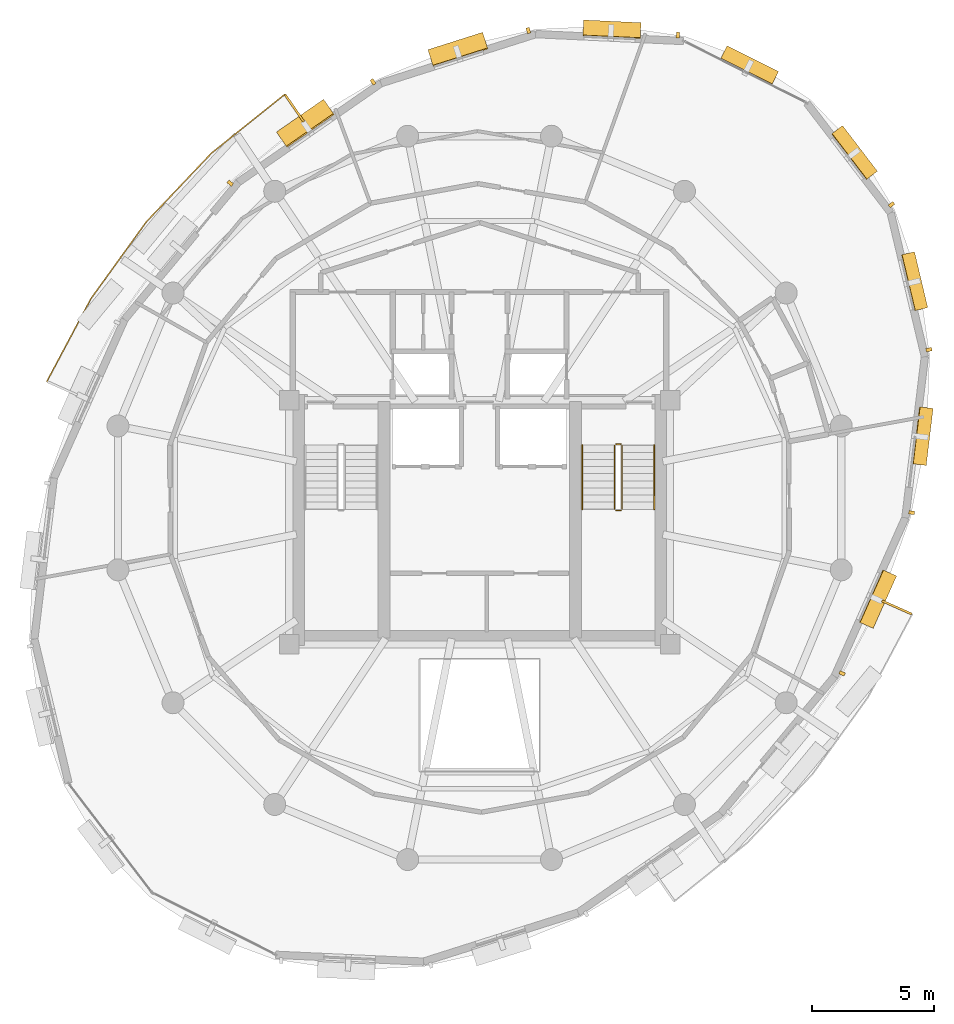
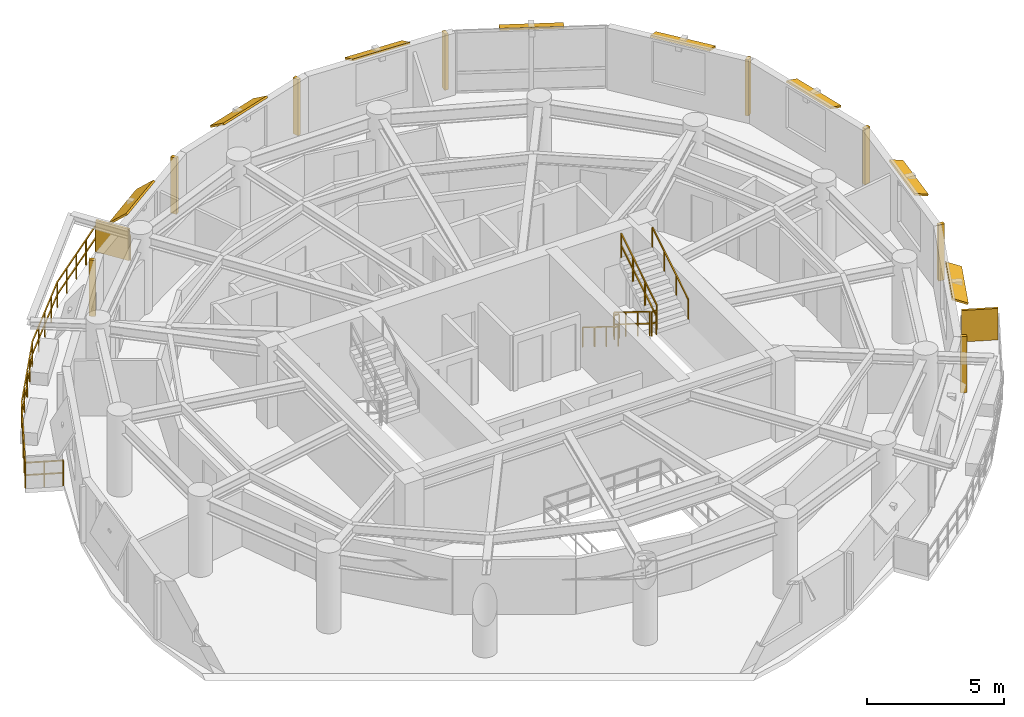
# One storey, part 11 of 11: 18 shading devices, 7 railings.
"""IFC4 building model written with IfcOpenShell, lengths in metres."""

import ifcopenshell
import ifcopenshell.guid

model = None  # the IFC model being written
_history = None  # IfcOwnerHistory: only IFC2X3 demands one
_inside = {}  # id of a spatial element -> (the spatial element, [elements in it])
_under = {}  # id of a project, library or spatial element -> (it, [spatial elements below it])
_declared = {}  # id of a project -> (the project, [libraries it declares])
_typed = {}  # id of a type object -> (the type object, [elements of that type])
_made_of = {}  # id of a material, layer set ... -> (it, [elements and type objects made of it])


def new_model(schema):
    """Start an empty IFC model of exactly this schema.

    Asked for "IFC4X3", IfcOpenShell would pick the latest addendum, in which some entities
    have other attributes; the version numbers below select the first issue.
    IFC2X3 requires an IfcOwnerHistory on every rooted entity: one is made here for all.
    """
    global model, _history
    if schema == "IFC4X3":
        model = ifcopenshell.file(schema_version=(4, 3, 0, 0))
    else:
        model = ifcopenshell.file(schema=schema)
    _inside.clear()
    _under.clear()
    _declared.clear()
    _typed.clear()
    _made_of.clear()
    _history = None
    if model.schema == "IFC2X3":
        org = make("IfcOrganization", Name="unknown")
        user = make(
            "IfcPersonAndOrganization",
            ThePerson=make("IfcPerson", FamilyName="unknown"),
            TheOrganization=org,
        )
        app = make(
            "IfcApplication",
            ApplicationDeveloper=org,
            Version="unknown",
            ApplicationFullName="unknown",
            ApplicationIdentifier="unknown",
        )
        _history = make(
            "IfcOwnerHistory",
            OwningUser=user,
            OwningApplication=app,
            ChangeAction="ADDED",
            CreationDate=0,
        )
    return model


def make(cls, **values):
    """One entity of the class cls with the attributes given. An attribute that is None is left unset."""
    return model.create_entity(
        cls, **{name: value for name, value in values.items() if value is not None}
    )


def rooted(cls, **values):
    """An entity with a GlobalId (a new one), such as an element, a storey or a relation."""
    return make(cls, GlobalId=ifcopenshell.guid.new(), OwnerHistory=_history, **values)


def si_unit(unit_type, name, prefix=None):
    """IfcSIUnit, for example si_unit("LENGTHUNIT", "METRE", prefix="MILLI")."""
    return make("IfcSIUnit", UnitType=unit_type, Prefix=prefix, Name=name)


def assignment(units):
    """IfcUnitAssignment: the units of a project."""
    return None if units is None else make("IfcUnitAssignment", Units=units)


def point(xyz):
    """IfcCartesianPoint."""
    return None if xyz is None else make("IfcCartesianPoint", Coordinates=xyz)


def direction(xyz):
    """IfcDirection."""
    return None if xyz is None else make("IfcDirection", DirectionRatios=xyz)


def frame(location, z_axis=None, x_axis=None):
    """IfcAxis2Placement3D, a coordinate frame: its origin and axes. An axis left out is left unset."""
    return make(
        "IfcAxis2Placement3D",
        Location=point(location),
        Axis=direction(z_axis),
        RefDirection=direction(x_axis),
    )


def frame_2d(location, x_axis=None):
    """IfcAxis2Placement2D, a coordinate frame in the plane: its origin and x axis."""
    return make(
        "IfcAxis2Placement2D", Location=point(location), RefDirection=direction(x_axis)
    )


def origin():
    """The frame at (0, 0, 0) with its axes left unset."""
    return frame((0.0, 0.0, 0.0))


def origin_2d():
    """The frame at (0, 0) in the plane with its x axis left unset."""
    return frame_2d((0.0, 0.0))


def place(relative_to, where):
    """IfcLocalPlacement: puts the frame where relative to a parent placement (None: the world)."""
    return make(
        "IfcLocalPlacement", PlacementRelTo=relative_to, RelativePlacement=where
    )


def context(
    kind, dimensions, precision=None, world=None, true_north=None, identifier=None
):
    """IfcGeometricRepresentationContext, for example the 3D "Model" context."""
    return make(
        "IfcGeometricRepresentationContext",
        ContextIdentifier=identifier,
        ContextType=kind,
        CoordinateSpaceDimension=dimensions,
        Precision=precision,
        WorldCoordinateSystem=world,
        TrueNorth=true_north,
    )


def subcontext(parent, identifier, kind, view, scale=None):
    """IfcGeometricRepresentationSubContext, for example "Body" below "Model"."""
    return make(
        "IfcGeometricRepresentationSubContext",
        ContextIdentifier=identifier,
        ContextType=kind,
        ParentContext=parent,
        TargetScale=scale,
        TargetView=view,
    )


def project(units=None, contexts=None):
    """IfcProject with its units and contexts."""
    return rooted(
        "IfcProject",
        Name="project",
        RepresentationContexts=contexts,
        UnitsInContext=assignment(units),
    )


def spatial(cls, under=None, at=None, **own):
    """A site, building, storey or space (cls), placed at a placement, below another one or the project."""
    s = rooted(cls, ObjectPlacement=at, **own)
    if under is not None:
        _under.setdefault(under.id(), (under, []))[1].append(s)
    return s


def profile(cls, at=None, kind="AREA", **sizes):
    """A parametric profile (cls). Its sizes go by their IFC names, for example OverallWidth=200.0."""
    return make(cls, ProfileType=kind, Position=at, **sizes)


def rectangle(**sizes):
    """IfcRectangleProfileDef."""
    return profile("IfcRectangleProfileDef", **sizes)


def extrude(swept, where, along, depth):
    """IfcExtrudedAreaSolid: the profile swept, set in the frame where, extruded along a direction by depth."""
    return make(
        "IfcExtrudedAreaSolid",
        SweptArea=swept,
        Position=where,
        ExtrudedDirection=direction(along),
        Depth=depth,
    )


def shape(context_of_items, identifier, shape_type, items):
    """IfcShapeRepresentation: the items that make up one representation, for example the "Body"."""
    return make(
        "IfcShapeRepresentation",
        ContextOfItems=context_of_items,
        RepresentationIdentifier=identifier,
        RepresentationType=shape_type,
        Items=items,
    )


def material(Name=None, Category=None):
    """IfcMaterial."""
    return make("IfcMaterial", Name=Name, Category=Category)


def layer(
    of_material, thickness, ventilated=None, Name=None, Category=None, Priority=None
):
    """IfcMaterialLayer: one layer of a wall or slab, of a material (None: an air gap)."""
    return make(
        "IfcMaterialLayer",
        Material=of_material,
        LayerThickness=thickness,
        IsVentilated=ventilated,
        Name=Name,
        Category=Category,
        Priority=Priority,
    )


def layer_set(layers, Name=None):
    """IfcMaterialLayerSet."""
    return make("IfcMaterialLayerSet", MaterialLayers=layers, LayerSetName=Name)


def made_of(thing, what):
    """Note that an element or type object is made of a material, layer set ...; save() writes the relation."""
    if what is not None:
        _made_of.setdefault(what.id(), (what, []))[1].append(thing)
    return thing


def type_object(cls, material=None, **own):
    """A type object (cls), such as IfcWallType, which elements share."""
    return made_of(rooted(cls, **own), material)


def element(
    cls,
    number,
    at=None,
    inside=None,
    cuts=None,
    type_object=None,
    material=None,
    context=None,
    identifier="Body",
    shape_type=None,
    held_by="IfcProductDefinitionShape",
    body=None,
    shapes=None,
    **own,
):
    """One element of the class cls, such as IfcWall. Its Tag is "e" and its number.

    at: its placement. inside: the storey or other place that contains it. cuts: it is an
    opening in that element (IfcRelVoidsElement). A single representation is given by context,
    identifier, shape_type and body (its items); several are given by shapes. held_by: the class
    of the entity that holds the representations. save() writes the other relations.
    """
    e = rooted(cls, Tag="e%d" % number, ObjectPlacement=at, **own)
    if body is not None:
        shapes = [shape(context, identifier, shape_type, body)]
    if shapes is not None:
        e.Representation = make(held_by, Representations=shapes)
    if inside is not None:
        _inside.setdefault(inside.id(), (inside, []))[1].append(e)
    if cuts is not None:
        rooted(
            "IfcRelVoidsElement", RelatingBuildingElement=cuts, RelatedOpeningElement=e
        )
    if type_object is not None:
        _typed.setdefault(type_object.id(), (type_object, []))[1].append(e)
    return made_of(e, material)


def aggregate(whole, parts):
    """IfcRelAggregates: a whole, such as a stair, and the parts it consists of."""
    return rooted("IfcRelAggregates", RelatingObject=whole, RelatedObjects=parts)


def save(model, path):
    """Write the relations noted so far, then the file.

    IfcRelAggregates (storeys below a building ...), IfcRelContainedInSpatialStructure (elements
    in a storey), IfcRelDefinesByType, IfcRelAssociatesMaterial and IfcRelDeclares: one each for
    every whole, place, type object, material and project.
    """
    for whole, parts in _under.values():
        aggregate(whole, parts)
    for where, things in _inside.values():
        rooted(
            "IfcRelContainedInSpatialStructure",
            RelatedElements=things,
            RelatingStructure=where,
        )
    for kind, things in _typed.values():
        rooted("IfcRelDefinesByType", RelatedObjects=things, RelatingType=kind)
    for what, things in _made_of.values():
        rooted("IfcRelAssociatesMaterial", RelatedObjects=things, RelatingMaterial=what)
    for by, libraries in _declared.values():
        rooted("IfcRelDeclares", RelatingContext=by, RelatedDefinitions=libraries)
    model.write(path)


model = new_model("IFC4")

# Units and contexts
model_context = context("Model", 3, precision=1e-05, world=origin(), true_north=direction((0.0, 1.0)))
body_context = subcontext(model_context, "Body", "Model", "MODEL_VIEW")
ifc_project = project(units=[si_unit("LENGTHUNIT", "METRE"), si_unit("AREAUNIT", "SQUARE_METRE"), si_unit("VOLUMEUNIT", "CUBIC_METRE"), si_unit("PLANEANGLEUNIT", "RADIAN"), si_unit("MASSUNIT", "GRAM", prefix="KILO"), si_unit("THERMODYNAMICTEMPERATUREUNIT", "KELVIN"), si_unit("POWERUNIT", "WATT")], contexts=[model_context])

# Site, building, storey
site_placement = place(None, origin())
site = spatial("IfcSite", under=ifc_project, at=site_placement, CompositionType="ELEMENT")
building_placement = place(site_placement, origin())
building = spatial("IfcBuilding", under=site, at=building_placement, Name="Ocrelia Relay Tower", CompositionType="ELEMENT")
storey_placement = place(building_placement, frame((0.0, 0.0, 241.199951171875)))
storey = spatial("IfcBuildingStorey", under=building, at=storey_placement, Name="L59", CompositionType="ELEMENT", Elevation=241.199951171875)

# Railings
ifc_material_1 = material(Name="Steel S355 balustrade", Category="steel")
railing_type_1 = type_object("IfcRailingType", Name="RL-EXT-GUARD-1150", PredefinedType="GUARDRAIL", material=ifc_material_1)
railing_1_placement = place(storey_placement, frame((17.552490234375, 30.203125, 0.0)))
element("IfcRailing", 1, at=railing_1_placement, inside=storey, type_object=railing_type_1, Name="L59 Loggia Balcony Guard Rail B1", PredefinedType="GUARDRAIL", context=body_context, shape_type="SweptSolid", body=[
    extrude(rectangle(XDim=0.048095703125, YDim=0.048095703125, at=origin_2d()), frame((0.0, 0.0, 1.1259765625), z_axis=(-0.913760972892, 0.406252242357, 0.0), x_axis=(-0.406252242357, -0.913760972892, 0.0)), (0.0, 0.0, 1.0), 1.3935546875),
    extrude(rectangle(XDim=0.048095703125, YDim=0.048095703125, at=origin_2d()), frame((0.0, 0.0, 0.574951171875), z_axis=(-0.913760972892, 0.406252242357, 0.0), x_axis=(-0.406252242357, -0.913760972892, 0.0)), (0.0, 0.0, 1.0), 1.3935546875),
    extrude(rectangle(XDim=0.048095703125, YDim=0.048095703125, at=origin_2d()), frame((-1.2734375, 0.566162109375, 1.1259765625), z_axis=(0.469545514332, 0.882908268152, 0.0), x_axis=(-0.882908268152, 0.469545514332, 0.0)), (0.0, 0.0, 1.0), 1.920654296875),
    extrude(rectangle(XDim=0.048095703125, YDim=0.048095703125, at=origin_2d()), frame((-1.2734375, 0.566162109375, 0.574951171875), z_axis=(0.469545514332, 0.882908268152, 0.0), x_axis=(-0.882908268152, 0.469545514332, 0.0)), (0.0, 0.0, 1.0), 1.920654296875),
    extrude(rectangle(XDim=0.048095703125, YDim=0.048095703125, at=origin_2d()), frame((-0.37158203125, 2.261962890625, 1.1259765625), z_axis=(0.46969729686, 0.882827530904, 0.0), x_axis=(-0.882827530904, 0.46969729686, 0.0)), (0.0, 0.0, 1.0), 1.920654296875),
    extrude(rectangle(XDim=0.048095703125, YDim=0.048095703125, at=origin_2d()), frame((-0.37158203125, 2.261962890625, 0.574951171875), z_axis=(0.46969729686, 0.882827530904, 0.0), x_axis=(-0.882827530904, 0.46969729686, 0.0)), (0.0, 0.0, 1.0), 1.920654296875),
    extrude(rectangle(XDim=0.048095703125, YDim=0.048095703125, at=origin_2d()), frame((0.530517578125, 3.95751953125, 1.1259765625), z_axis=(0.585003655998, 0.811030654457, 0.0), x_axis=(-0.811030654457, 0.585003655998, 0.0)), (0.0, 0.0, 1.0), 3.882080078125),
    extrude(rectangle(XDim=0.048095703125, YDim=0.048095703125, at=origin_2d()), frame((0.530517578125, 3.95751953125, 0.574951171875), z_axis=(0.585003655998, 0.811030654457, 0.0), x_axis=(-0.811030654457, 0.585003655998, 0.0)), (0.0, 0.0, 1.0), 3.882080078125),
    extrude(rectangle(XDim=0.048095703125, YDim=0.048095703125, at=origin_2d()), frame((2.801513671875, 7.10595703125, 1.1259765625), z_axis=(0.68830965724, 0.72541699439, 0.0), x_axis=(-0.72541699439, 0.68830965724, 0.0)), (0.0, 0.0, 1.0), 3.8818359375),
    extrude(rectangle(XDim=0.048095703125, YDim=0.048095703125, at=origin_2d()), frame((2.801513671875, 7.10595703125, 0.574951171875), z_axis=(0.68830965724, 0.72541699439, 0.0), x_axis=(-0.72541699439, 0.68830965724, 0.0)), (0.0, 0.0, 1.0), 3.8818359375),
    extrude(rectangle(XDim=0.048095703125, YDim=0.048095703125, at=origin_2d()), frame((5.473388671875, 9.921875, 1.1259765625), z_axis=(0.780322872437, 0.625376858184, 0.0), x_axis=(-0.625376858184, 0.780322872437, 0.0)), (0.0, 0.0, 1.0), 1.920654296875),
    extrude(rectangle(XDim=0.048095703125, YDim=0.048095703125, at=origin_2d()), frame((5.473388671875, 9.921875, 0.574951171875), z_axis=(0.780322872437, 0.625376858184, 0.0), x_axis=(-0.625376858184, 0.780322872437, 0.0)), (0.0, 0.0, 1.0), 1.920654296875),
    extrude(rectangle(XDim=0.048095703125, YDim=0.048095703125, at=origin_2d()), frame((6.97216796875, 11.123046875, 1.1259765625), z_axis=(0.780372576936, 0.625314833636, 0.0), x_axis=(-0.625314833636, 0.780372576936, 0.0)), (0.0, 0.0, 1.0), 1.9208984375),
    extrude(rectangle(XDim=0.048095703125, YDim=0.048095703125, at=origin_2d()), frame((6.97216796875, 11.123046875, 0.574951171875), z_axis=(0.780372576936, 0.625314833636, 0.0), x_axis=(-0.625314833636, 0.780372576936, 0.0)), (0.0, 0.0, 1.0), 1.9208984375),
    extrude(rectangle(XDim=0.048095703125, YDim=0.048095703125, at=origin_2d()), frame((8.47119140625, 12.32421875, 1.1259765625), z_axis=(0.568690580372, -0.822551532608, 0.0), x_axis=(0.822551532608, 0.568690580372, 0.0)), (0.0, 0.0, 1.0), 1.3935546875),
    extrude(rectangle(XDim=0.048095703125, YDim=0.048095703125, at=origin_2d()), frame((8.47119140625, 12.32421875, 0.574951171875), z_axis=(0.568690580372, -0.822551532608, 0.0), x_axis=(0.822551532608, 0.568690580372, 0.0)), (0.0, 0.0, 1.0), 1.3935546875),
    extrude(rectangle(XDim=0.0419921875, YDim=0.0419921875, at=origin_2d()), origin(), (0.0, 0.0, 1.0), 1.101806640625),
    extrude(rectangle(XDim=0.0419921875, YDim=0.0419921875, at=origin_2d()), frame((-0.63671875, 0.283203125, 0.0)), (0.0, 0.0, 1.0), 1.101806640625),
    extrude(rectangle(XDim=0.0419921875, YDim=0.0419921875, at=origin_2d()), frame((-1.2734375, 0.566162109375, 0.0)), (0.0, 0.0, 1.0), 1.101806640625),
    extrude(rectangle(XDim=0.0419921875, YDim=0.0419921875, at=origin_2d()), frame((-0.822509765625, 1.4140625, 0.0)), (0.0, 0.0, 1.0), 1.101806640625),
    extrude(rectangle(XDim=0.0419921875, YDim=0.0419921875, at=origin_2d()), frame((-0.37158203125, 2.261962890625, 0.0)), (0.0, 0.0, 1.0), 1.101806640625),
    extrude(rectangle(XDim=0.0419921875, YDim=0.0419921875, at=origin_2d()), frame((0.07958984375, 3.10986328125, 0.0)), (0.0, 0.0, 1.0), 1.101806640625),
    extrude(rectangle(XDim=0.0419921875, YDim=0.0419921875, at=origin_2d()), frame((0.530517578125, 3.95751953125, 0.0)), (0.0, 0.0, 1.0), 1.101806640625),
    extrude(rectangle(XDim=0.0419921875, YDim=0.0419921875, at=origin_2d()), frame((1.09814453125, 4.74462890625, 0.0)), (0.0, 0.0, 1.0), 1.101806640625),
    extrude(rectangle(XDim=0.0419921875, YDim=0.0419921875, at=origin_2d()), frame((1.666015625, 5.53173828125, 0.0)), (0.0, 0.0, 1.0), 1.101806640625),
    extrude(rectangle(XDim=0.0419921875, YDim=0.0419921875, at=origin_2d()), frame((2.23388671875, 6.31884765625, 0.0)), (0.0, 0.0, 1.0), 1.101806640625),
    extrude(rectangle(XDim=0.0419921875, YDim=0.0419921875, at=origin_2d()), frame((2.801513671875, 7.10595703125, 0.0)), (0.0, 0.0, 1.0), 1.101806640625),
    extrude(rectangle(XDim=0.0419921875, YDim=0.0419921875, at=origin_2d()), frame((3.469482421875, 7.81005859375, 0.0)), (0.0, 0.0, 1.0), 1.101806640625),
    extrude(rectangle(XDim=0.0419921875, YDim=0.0419921875, at=origin_2d()), frame((4.137451171875, 8.513916015625, 0.0)), (0.0, 0.0, 1.0), 1.101806640625),
    extrude(rectangle(XDim=0.0419921875, YDim=0.0419921875, at=origin_2d()), frame((4.805419921875, 9.2177734375, 0.0)), (0.0, 0.0, 1.0), 1.101806640625),
    extrude(rectangle(XDim=0.0419921875, YDim=0.0419921875, at=origin_2d()), frame((5.473388671875, 9.921875, 0.0)), (0.0, 0.0, 1.0), 1.101806640625),
    extrude(rectangle(XDim=0.0419921875, YDim=0.0419921875, at=origin_2d()), frame((6.22265625, 10.5224609375, 0.0)), (0.0, 0.0, 1.0), 1.101806640625),
    extrude(rectangle(XDim=0.0419921875, YDim=0.0419921875, at=origin_2d()), frame((6.97216796875, 11.123046875, 0.0)), (0.0, 0.0, 1.0), 1.101806640625),
    extrude(rectangle(XDim=0.0419921875, YDim=0.0419921875, at=origin_2d()), frame((7.7216796875, 11.7236328125, 0.0)), (0.0, 0.0, 1.0), 1.101806640625),
    extrude(rectangle(XDim=0.0419921875, YDim=0.0419921875, at=origin_2d()), frame((8.47119140625, 12.32421875, 0.0)), (0.0, 0.0, 1.0), 1.101806640625),
    extrude(rectangle(XDim=0.0419921875, YDim=0.0419921875, at=origin_2d()), frame((8.867431640625, 11.7509765625, 0.0)), (0.0, 0.0, 1.0), 1.101806640625),
    extrude(rectangle(XDim=0.0419921875, YDim=0.0419921875, at=origin_2d()), frame((9.263671875, 11.177978515625, 0.0)), (0.0, 0.0, 1.0), 1.101806640625),
])
railing_type_2 = type_object("IfcRailingType", Name="RL-STAIR-GUARD", PredefinedType="GUARDRAIL", material=ifc_material_1)
railing_2_placement = place(storey_placement, frame((39.530029296875, 28.14990234375, 0.179931640625)))
element("IfcRailing", 2, at=railing_2_placement, inside=storey, type_object=railing_type_2, Name="L59 ST2 stair guard 1", PredefinedType="GUARDRAIL", context=body_context, shape_type="SweptSolid", body=[
    extrude(rectangle(XDim=0.048095703125, YDim=0.048095703125, at=origin_2d()), frame((0.0, 0.0, 1.076171875), z_axis=(0.0, -0.849610693518, 0.52741034258), x_axis=(1.0, 0.0, 0.0)), (0.0, 0.0, 1.0), 3.07177734375),
    extrude(rectangle(XDim=0.048095703125, YDim=0.048095703125, at=origin_2d()), frame((0.0, 0.0, 0.550048828125), z_axis=(0.0, -0.849610693518, 0.52741034258), x_axis=(1.0, 0.0, 0.0)), (0.0, 0.0, 1.0), 3.07177734375),
    extrude(rectangle(XDim=0.0419921875, YDim=0.0419921875, at=origin_2d()), origin(), (0.0, 0.0, 1.0), 1.052001953125),
    extrude(rectangle(XDim=0.0419921875, YDim=0.0419921875, at=origin_2d()), frame((0.0, -0.869873046875, 0.5400390625)), (0.0, 0.0, 1.0), 1.052001953125),
    extrude(rectangle(XDim=0.0419921875, YDim=0.0419921875, at=origin_2d()), frame((0.0, -1.739990234375, 1.080078125)), (0.0, 0.0, 1.0), 1.052001953125),
    extrude(rectangle(XDim=0.0419921875, YDim=0.0419921875, at=origin_2d()), frame((0.0, -2.60986328125, 1.6201171875)), (0.0, 0.0, 1.0), 1.052001953125),
])
railing_3_placement = place(storey_placement, frame((39.580078125, 25.489990234375, 1.800048828125)))
element("IfcRailing", 3, at=railing_3_placement, inside=storey, type_object=railing_type_2, Name="L59 ST2 stair guard 2", PredefinedType="GUARDRAIL", context=body_context, shape_type="SweptSolid", body=[
    extrude(rectangle(XDim=0.048095703125, YDim=0.048095703125, at=origin_2d()), frame((0.0, 0.0, 1.076171875), z_axis=(1.0, 0.0, 0.0), x_axis=(0.0, 1.0, 0.0)), (0.0, 0.0, 1.0), 0.199951171875),
    extrude(rectangle(XDim=0.048095703125, YDim=0.048095703125, at=origin_2d()), frame((0.0, 0.0, 0.550048828125), z_axis=(1.0, 0.0, 0.0), x_axis=(0.0, 1.0, 0.0)), (0.0, 0.0, 1.0), 0.199951171875),
    extrude(rectangle(XDim=0.0419921875, YDim=0.0419921875, at=origin_2d()), origin(), (0.0, 0.0, 1.0), 1.052001953125),
    extrude(rectangle(XDim=0.0419921875, YDim=0.0419921875, at=origin_2d()), frame((0.199951171875, 0.0, 0.0)), (0.0, 0.0, 1.0), 1.052001953125),
])
railing_4_placement = place(storey_placement, frame((39.830078125, 25.5400390625, 1.97998046875)))
element("IfcRailing", 4, at=railing_4_placement, inside=storey, type_object=railing_type_2, Name="L59 ST2 stair guard 3", PredefinedType="GUARDRAIL", context=body_context, shape_type="SweptSolid", body=[
    extrude(rectangle(XDim=0.048095703125, YDim=0.048095703125, at=origin_2d()), frame((0.0, 0.0, 1.076171875), z_axis=(0.0, 0.849610693518, 0.52741034258), x_axis=(-1.0, 0.0, 0.0)), (0.0, 0.0, 1.0), 3.07177734375),
    extrude(rectangle(XDim=0.048095703125, YDim=0.048095703125, at=origin_2d()), frame((0.0, 0.0, 0.550048828125), z_axis=(0.0, 0.849610693518, 0.52741034258), x_axis=(-1.0, 0.0, 0.0)), (0.0, 0.0, 1.0), 3.07177734375),
    extrude(rectangle(XDim=0.0419921875, YDim=0.0419921875, at=origin_2d()), origin(), (0.0, 0.0, 1.0), 1.052001953125),
    extrude(rectangle(XDim=0.0419921875, YDim=0.0419921875, at=origin_2d()), frame((0.0, 0.869873046875, 0.5400390625)), (0.0, 0.0, 1.0), 1.052001953125),
    extrude(rectangle(XDim=0.0419921875, YDim=0.0419921875, at=origin_2d()), frame((0.0, 1.739990234375, 1.080078125)), (0.0, 0.0, 1.0), 1.052001953125),
    extrude(rectangle(XDim=0.0419921875, YDim=0.0419921875, at=origin_2d()), frame((0.0, 2.60986328125, 1.6201171875)), (0.0, 0.0, 1.0), 1.052001953125),
])
railing_5_placement = place(storey_placement, frame((39.580078125, 28.199951171875, 0.0)))
element("IfcRailing", 5, at=railing_5_placement, inside=storey, type_object=railing_type_2, Name="L59 ST2 stair guard 4", PredefinedType="GUARDRAIL", context=body_context, shape_type="SweptSolid", body=[
    extrude(rectangle(XDim=0.048095703125, YDim=0.048095703125, at=origin_2d()), frame((0.0, 0.0, 1.076171875), z_axis=(1.0, 0.0, 0.0), x_axis=(0.0, 1.0, 0.0)), (0.0, 0.0, 1.0), 0.199951171875),
    extrude(rectangle(XDim=0.048095703125, YDim=0.048095703125, at=origin_2d()), frame((0.0, 0.0, 0.550048828125), z_axis=(1.0, 0.0, 0.0), x_axis=(0.0, 1.0, 0.0)), (0.0, 0.0, 1.0), 0.199951171875),
    extrude(rectangle(XDim=0.0419921875, YDim=0.0419921875, at=origin_2d()), origin(), (0.0, 0.0, 1.0), 1.052001953125),
    extrude(rectangle(XDim=0.0419921875, YDim=0.0419921875, at=origin_2d()), frame((0.199951171875, 0.0, 0.0)), (0.0, 0.0, 1.0), 1.052001953125),
])
ifc_material_2 = material(Name="Steel S355 tubular handrail", Category="steel")
railing_type_3 = type_object("IfcRailingType", Name="RL-STAIR-HAND", PredefinedType="HANDRAIL", material=ifc_material_2)
railing_6_placement = place(storey_placement, frame((38.2099609375, 28.14990234375, 0.179931640625)))
element("IfcRailing", 6, at=railing_6_placement, inside=storey, type_object=railing_type_3, Name="L59 ST2 stair handrail 1", PredefinedType="HANDRAIL", context=body_context, shape_type="SweptSolid", body=[
    extrude(rectangle(XDim=0.048095703125, YDim=0.048095703125, at=origin_2d()), frame((0.0, 0.0, 0.8759765625), z_axis=(0.0, -0.849610693518, 0.52741034258), x_axis=(1.0, 0.0, 0.0)), (0.0, 0.0, 1.0), 3.07177734375),
    extrude(rectangle(XDim=0.0419921875, YDim=0.0419921875, at=origin_2d()), origin(), (0.0, 0.0, 1.0), 0.851806640625),
    extrude(rectangle(XDim=0.0419921875, YDim=0.0419921875, at=origin_2d()), frame((0.0, -0.869873046875, 0.5400390625)), (0.0, 0.0, 1.0), 0.851806640625),
    extrude(rectangle(XDim=0.0419921875, YDim=0.0419921875, at=origin_2d()), frame((0.0, -1.739990234375, 1.080078125)), (0.0, 0.0, 1.0), 0.851806640625),
    extrude(rectangle(XDim=0.0419921875, YDim=0.0419921875, at=origin_2d()), frame((0.0, -2.60986328125, 1.6201171875)), (0.0, 0.0, 1.0), 0.851806640625),
])
railing_7_placement = place(storey_placement, frame((41.14990234375, 25.5400390625, 1.97998046875)))
element("IfcRailing", 7, at=railing_7_placement, inside=storey, type_object=railing_type_3, Name="L59 ST2 stair handrail 2", PredefinedType="HANDRAIL", context=body_context, shape_type="SweptSolid", body=[
    extrude(rectangle(XDim=0.048095703125, YDim=0.048095703125, at=origin_2d()), frame((0.0, 0.0, 0.8759765625), z_axis=(0.0, 0.849610693518, 0.52741034258), x_axis=(-1.0, 0.0, 0.0)), (0.0, 0.0, 1.0), 3.07177734375),
    extrude(rectangle(XDim=0.0419921875, YDim=0.0419921875, at=origin_2d()), origin(), (0.0, 0.0, 1.0), 0.851806640625),
    extrude(rectangle(XDim=0.0419921875, YDim=0.0419921875, at=origin_2d()), frame((0.0, 0.869873046875, 0.5400390625)), (0.0, 0.0, 1.0), 0.851806640625),
    extrude(rectangle(XDim=0.0419921875, YDim=0.0419921875, at=origin_2d()), frame((0.0, 1.739990234375, 1.080078125)), (0.0, 0.0, 1.0), 0.851806640625),
    extrude(rectangle(XDim=0.0419921875, YDim=0.0419921875, at=origin_2d()), frame((0.0, 2.60986328125, 1.6201171875)), (0.0, 0.0, 1.0), 0.851806640625),
])

# Shading devices
ifc_material_3 = material(Name="Perforated oxide terracotta solar screen", Category="masonry")
ifc_layer_1 = layer(ifc_material_3, 0.090087890625, Name="Perforated oxide terracotta solar screen")
ifc_layer_set_1 = layer_set([ifc_layer_1], Name="Perforated oxide terracotta solar screen")
shading_device_type_1 = type_object("IfcShadingDeviceType", Name="SH-BALC-SCREEN", PredefinedType="USERDEFINED", material=ifc_layer_set_1)
for number, where, z_axis, x_axis, name in (
    (8, (26.419921875, 41.954345703125, 0.0), (0.0, 0.0, 1.0), (-0.568795688991, 0.822478853336, 0.0), "L59 Balcony Perforated Terracotta Screen B1-1"),
    (9, (51.084228515625, 21.513916015625, 0.0), (0.0, 0.0, 1.0), (0.913761233364, -0.40625165649, 0.0), "L59 Balcony Perforated Terracotta Screen B2-2"),
):
    element("IfcShadingDevice", number, at=place(storey_placement, frame(where, z_axis=z_axis, x_axis=x_axis)), inside=storey, type_object=shading_device_type_1, Name=name, ObjectType="SCREEN", PredefinedType="USERDEFINED", context=body_context, shape_type="SweptSolid", body=[
        extrude(rectangle(XDim=1.340087890625, YDim=0.090087890625, at=origin_2d()), origin(), (0.0, 0.0, 1.0), 1.39990234375),
    ])
ifc_material_4 = material(Name="Extruded oxide terracotta vertical baguette", Category="masonry")
shading_device_type_2 = type_object("IfcShadingDeviceType", Name="SH-TERR-BAGUETTE", PredefinedType="USERDEFINED", material=ifc_material_4)
for number, where, z_axis, x_axis, name in (
    (10, (42.123046875, 44.948486328125, 0.130126953125), (0.0, 0.0, 1.0), (-0.998916575596, 0.046536813373, 0.0), "L59 Oxide Terracotta Vertical Baguette 02"),
    (11, (35.99853515625, 45.136474609375, 0.130126953125), (0.0, 0.0, 1.0), (-0.953209056413, -0.302311916358, 0.0), "L59 Oxide Terracotta Vertical Baguette 03"),
    (12, (29.63623046875, 43.03369140625, 0.130126953125), (0.0, 0.0, 1.0), (-0.8215637972, -0.570116590822, 0.0), "L59 Oxide Terracotta Vertical Baguette 04"),
    (13, (23.788818359375, 38.886962890625, 0.130126953125), (0.0, 0.0, 1.0), (-0.638095676006, -0.769957082091, 0.0), "L59 Oxide Terracotta Vertical Baguette 05"),
    (14, (48.8427734375, 18.81591796875, 0.130126953125), (0.0, 0.0, 1.0), (0.407663605571, 0.913132183582, 0.0), "L59 Oxide Terracotta Vertical Baguette 15"),
    (15, (51.692626953125, 25.398193359375, 0.130126953125), (0.0, 0.0, 1.0), (0.120078267848, 0.992764428045, 0.0), "L59 Oxide Terracotta Vertical Baguette 16"),
    (16, (52.401611328125, 32.0693359375, 0.130126953125), (0.0, 0.0, 1.0), (-0.23120047848, 0.972906130493, 0.0), "L59 Oxide Terracotta Vertical Baguette 17"),
    (17, (50.86865234375, 38.0107421875, 0.130126953125), (0.0, 0.0, 1.0), (-0.607348280111, 0.794435690693, 0.0), "L59 Oxide Terracotta Vertical Baguette 18"),
):
    element("IfcShadingDevice", number, at=place(storey_placement, frame(where, z_axis=z_axis, x_axis=x_axis)), inside=storey, type_object=shading_device_type_2, Name=name, ObjectType="BAGUETTE", PredefinedType="USERDEFINED", context=body_context, shape_type="SweptSolid", body=[
        extrude(rectangle(XDim=0.139892578125, YDim=0.239990234375, at=origin_2d()), origin(), (0.0, 0.0, 1.0), 2.5),
    ])
ifc_material_5 = material(Name="Extruded oxide terracotta fin", Category="masonry")
ifc_layer_2 = layer(ifc_material_5, 0.080078125, Name="Extruded oxide terracotta fin")
ifc_layer_set_2 = layer_set([ifc_layer_2], Name="Extruded oxide terracotta fin")
shading_device_type_3 = type_object("IfcShadingDeviceType", Name="SH-VISOR-FIN-MED", PredefinedType="USERDEFINED", material=ifc_layer_set_2)
shading_device_1_placement = place(storey_placement, frame((33.11865234375, 44.34814453125, 2.56640625), z_axis=(-0.164296701245, 0.518038142365, 0.839430209734), x_axis=(-0.953209056413, -0.302311916358, 0.0)))
element("IfcShadingDevice", 18, at=shading_device_1_placement, inside=storey, type_object=shading_device_type_3, Name="L59 Canted Terracotta Sun-Visor Fin 03", ObjectType="FIN", PredefinedType="USERDEFINED", context=body_context, shape_type="SweptSolid", body=[
    extrude(rectangle(XDim=2.35009765625, YDim=0.799072265625, at=origin_2d()), origin(), (0.0, 0.0, 1.0), 0.080078125),
])
shading_device_2_placement = place(storey_placement, frame((26.87744140625, 41.317626953125, 2.5703125), z_axis=(-0.381334544935, 0.549520329322, 0.743378350842), x_axis=(-0.8215637972, -0.570116590822, 0.0)))
element("IfcShadingDevice", 19, at=shading_device_2_placement, inside=storey, type_object=shading_device_type_3, Name="L59 Canted Terracotta Sun-Visor Fin 04", ObjectType="FIN", PredefinedType="USERDEFINED", context=body_context, shape_type="SweptSolid", body=[
    extrude(rectangle(XDim=2.35009765625, YDim=0.949951171875, at=origin_2d()), origin(), (0.0, 0.0, 1.0), 0.080078125),
])
ifc_layer_3 = layer(ifc_material_5, 0.080078125, Name="Extruded oxide terracotta fin")
ifc_layer_set_3 = layer_set([ifc_layer_3], Name="Extruded oxide terracotta fin")
shading_device_type_4 = type_object("IfcShadingDeviceType", Name="SH-VISOR-FIN-SHAL", PredefinedType="USERDEFINED", material=ifc_layer_set_3)
shading_device_3_placement = place(storey_placement, frame((45.045166015625, 43.706787109375, 2.56298828125), z_axis=(0.167432897733, 0.332933319339, 0.927966394667), x_axis=(-0.893387671077, 0.449286622511, 0.0)))
element("IfcShadingDevice", 20, at=shading_device_3_placement, inside=storey, type_object=shading_device_type_4, Name="L59 Canted Terracotta Sun-Visor Fin 01", ObjectType="FIN", PredefinedType="USERDEFINED", context=body_context, shape_type="SweptSolid", body=[
    extrude(rectangle(XDim=2.35009765625, YDim=0.614990234375, at=origin_2d()), origin(), (0.0, 0.0, 1.0), 0.080078125),
])
shading_device_4_placement = place(storey_placement, frame((39.419677734375, 45.170654296875, 2.564208984375), z_axis=(0.020640962834, 0.443059986631, 0.896254315973), x_axis=(-0.998916575596, 0.046536813373, 0.0)))
element("IfcShadingDevice", 21, at=shading_device_4_placement, inside=storey, type_object=shading_device_type_4, Name="L59 Canted Terracotta Sun-Visor Fin 02", ObjectType="FIN", PredefinedType="USERDEFINED", context=body_context, shape_type="SweptSolid", body=[
    extrude(rectangle(XDim=2.35009765625, YDim=0.68896484375, at=origin_2d()), origin(), (0.0, 0.0, 1.0), 0.080078125),
])
shading_device_5_placement = place(storey_placement, frame((50.29931640625, 21.862060546875, 2.5634765625), z_axis=(0.362941026584, -0.162033328983, 0.917615939008), x_axis=(0.407663605571, 0.913132183582, 0.0)))
element("IfcShadingDevice", 22, at=shading_device_5_placement, inside=storey, type_object=shading_device_type_4, Name="L59 Canted Terracotta Sun-Visor Fin 15", ObjectType="FIN", PredefinedType="USERDEFINED", context=body_context, shape_type="SweptSolid", body=[
    extrude(rectangle(XDim=2.35009765625, YDim=0.639892578125, at=origin_2d()), origin(), (0.0, 0.0, 1.0), 0.080078125),
])
shading_device_6_placement = place(storey_placement, frame((52.137451171875, 28.53076171875, 2.562255859375), z_axis=(0.324195285722, -0.039212533461, 0.945177123049), x_axis=(0.120078267848, 0.992764428045, 0.0)))
element("IfcShadingDevice", 23, at=shading_device_6_placement, inside=storey, type_object=shading_device_type_4, Name="L59 Canted Terracotta Sun-Visor Fin 16", ObjectType="FIN", PredefinedType="USERDEFINED", context=body_context, shape_type="SweptSolid", body=[
    extrude(rectangle(XDim=2.35009765625, YDim=0.568115234375, at=origin_2d()), origin(), (0.0, 0.0, 1.0), 0.080078125),
])
shading_device_7_placement = place(storey_placement, frame((51.801513671875, 34.86865234375, 2.56201171875), z_axis=(0.30080601702, 0.071483252993, 0.95100256817), x_axis=(-0.23120047848, 0.972906130493, 0.0)))
element("IfcShadingDevice", 24, at=shading_device_7_placement, inside=storey, type_object=shading_device_type_4, Name="L59 Canted Terracotta Sun-Visor Fin 17", ObjectType="FIN", PredefinedType="USERDEFINED", context=body_context, shape_type="SweptSolid", body=[
    extrude(rectangle(XDim=2.35009765625, YDim=0.550048828125, at=origin_2d()), origin(), (0.0, 0.0, 1.0), 0.080078125),
])
shading_device_8_placement = place(storey_placement, frame((49.340087890625, 40.133056640625, 2.562255859375), z_axis=(0.260346608129, 0.199035701105, 0.944777451743), x_axis=(-0.607348280111, 0.794435690693, 0.0)))
element("IfcShadingDevice", 25, at=shading_device_8_placement, inside=storey, type_object=shading_device_type_4, Name="L59 Canted Terracotta Sun-Visor Fin 18", ObjectType="FIN", PredefinedType="USERDEFINED", context=body_context, shape_type="SweptSolid", body=[
    extrude(rectangle(XDim=2.35009765625, YDim=0.569091796875, at=origin_2d()), origin(), (0.0, 0.0, 1.0), 0.080078125),
])

save(model, "model.ifc")
